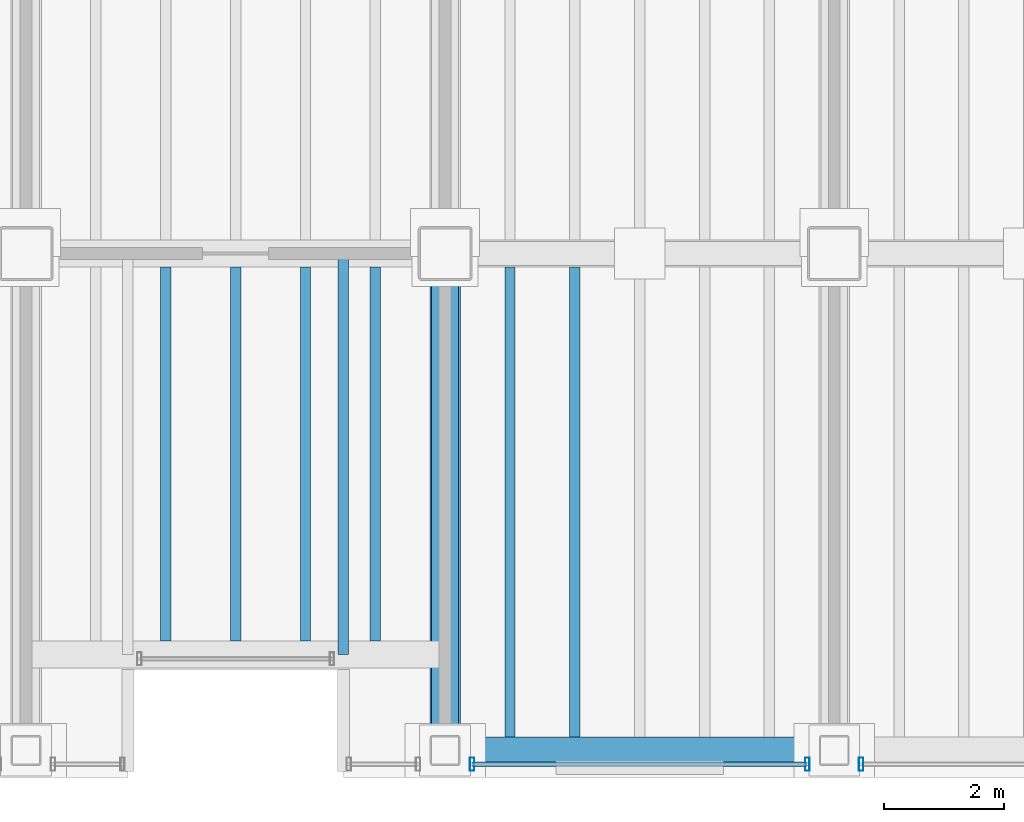
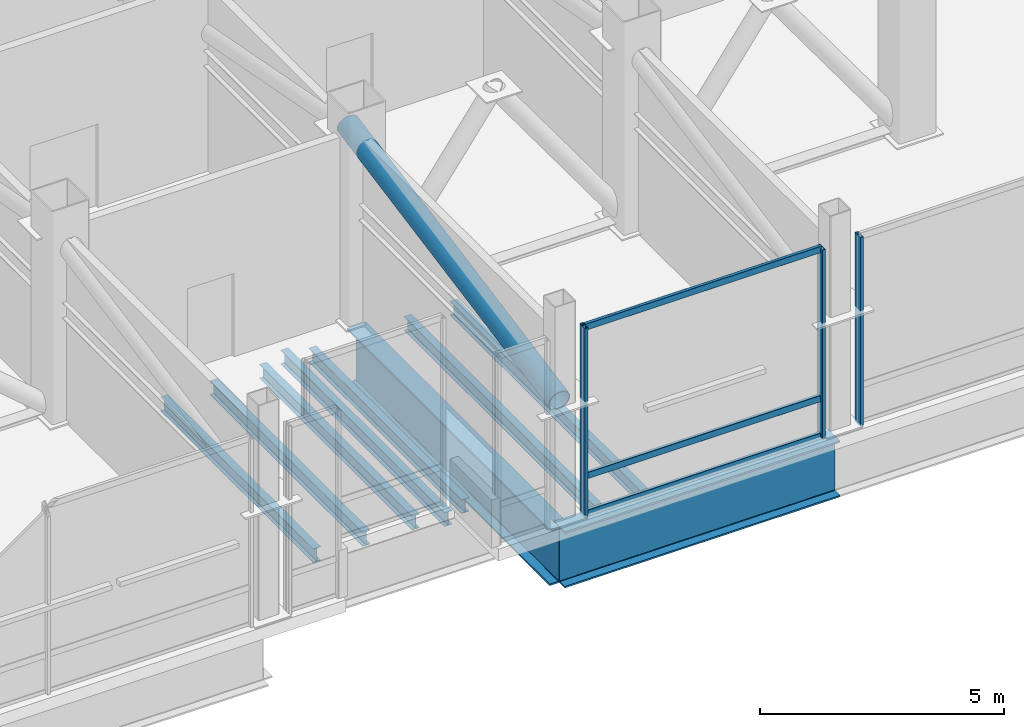
# One storey, part 5 of 18: 9 beams, 7 members, 2 elements without a shape of their own.
"""IFC4 building model written with IfcOpenShell, lengths in metres."""

import ifcopenshell
import ifcopenshell.guid

model = None  # the IFC model being written
_history = None  # IfcOwnerHistory: only IFC2X3 demands one
_inside = {}  # id of a spatial element -> (the spatial element, [elements in it])
_under = {}  # id of a project, library or spatial element -> (it, [spatial elements below it])
_declared = {}  # id of a project -> (the project, [libraries it declares])
_typed = {}  # id of a type object -> (the type object, [elements of that type])
_made_of = {}  # id of a material, layer set ... -> (it, [elements and type objects made of it])


def new_model(schema):
    """Start an empty IFC model of exactly this schema.

    Asked for "IFC4X3", IfcOpenShell would pick the latest addendum, in which some entities
    have other attributes; the version numbers below select the first issue.
    IFC2X3 requires an IfcOwnerHistory on every rooted entity: one is made here for all.
    """
    global model, _history
    if schema == "IFC4X3":
        model = ifcopenshell.file(schema_version=(4, 3, 0, 0))
    else:
        model = ifcopenshell.file(schema=schema)
    _inside.clear()
    _under.clear()
    _declared.clear()
    _typed.clear()
    _made_of.clear()
    _history = None
    if model.schema == "IFC2X3":
        org = make("IfcOrganization", Name="unknown")
        user = make(
            "IfcPersonAndOrganization",
            ThePerson=make("IfcPerson", FamilyName="unknown"),
            TheOrganization=org,
        )
        app = make(
            "IfcApplication",
            ApplicationDeveloper=org,
            Version="unknown",
            ApplicationFullName="unknown",
            ApplicationIdentifier="unknown",
        )
        _history = make(
            "IfcOwnerHistory",
            OwningUser=user,
            OwningApplication=app,
            ChangeAction="ADDED",
            CreationDate=0,
        )
    return model


def make(cls, **values):
    """One entity of the class cls with the attributes given. An attribute that is None is left unset."""
    return model.create_entity(
        cls, **{name: value for name, value in values.items() if value is not None}
    )


def rooted(cls, **values):
    """An entity with a GlobalId (a new one), such as an element, a storey or a relation."""
    return make(cls, GlobalId=ifcopenshell.guid.new(), OwnerHistory=_history, **values)


def si_unit(unit_type, name, prefix=None):
    """IfcSIUnit, for example si_unit("LENGTHUNIT", "METRE", prefix="MILLI")."""
    return make("IfcSIUnit", UnitType=unit_type, Prefix=prefix, Name=name)


def assignment(units):
    """IfcUnitAssignment: the units of a project."""
    return None if units is None else make("IfcUnitAssignment", Units=units)


def point(xyz):
    """IfcCartesianPoint."""
    return None if xyz is None else make("IfcCartesianPoint", Coordinates=xyz)


def direction(xyz):
    """IfcDirection."""
    return None if xyz is None else make("IfcDirection", DirectionRatios=xyz)


def frame(location, z_axis=None, x_axis=None):
    """IfcAxis2Placement3D, a coordinate frame: its origin and axes. An axis left out is left unset."""
    return make(
        "IfcAxis2Placement3D",
        Location=point(location),
        Axis=direction(z_axis),
        RefDirection=direction(x_axis),
    )


def frame_2d(location, x_axis=None):
    """IfcAxis2Placement2D, a coordinate frame in the plane: its origin and x axis."""
    return make(
        "IfcAxis2Placement2D", Location=point(location), RefDirection=direction(x_axis)
    )


def origin():
    """The frame at (0, 0, 0) with its axes left unset."""
    return frame((0.0, 0.0, 0.0))


def origin_2d():
    """The frame at (0, 0) in the plane with its x axis left unset."""
    return frame_2d((0.0, 0.0))


def place(relative_to, where):
    """IfcLocalPlacement: puts the frame where relative to a parent placement (None: the world)."""
    return make(
        "IfcLocalPlacement", PlacementRelTo=relative_to, RelativePlacement=where
    )


def context(
    kind, dimensions, precision=None, world=None, true_north=None, identifier=None
):
    """IfcGeometricRepresentationContext, for example the 3D "Model" context."""
    return make(
        "IfcGeometricRepresentationContext",
        ContextIdentifier=identifier,
        ContextType=kind,
        CoordinateSpaceDimension=dimensions,
        Precision=precision,
        WorldCoordinateSystem=world,
        TrueNorth=true_north,
    )


def subcontext(parent, identifier, kind, view, scale=None):
    """IfcGeometricRepresentationSubContext, for example "Body" below "Model"."""
    return make(
        "IfcGeometricRepresentationSubContext",
        ContextIdentifier=identifier,
        ContextType=kind,
        ParentContext=parent,
        TargetScale=scale,
        TargetView=view,
    )


def project(units=None, contexts=None):
    """IfcProject with its units and contexts."""
    return rooted(
        "IfcProject",
        Name="project",
        RepresentationContexts=contexts,
        UnitsInContext=assignment(units),
    )


def spatial(cls, under=None, at=None, **own):
    """A site, building, storey or space (cls), placed at a placement, below another one or the project."""
    s = rooted(cls, ObjectPlacement=at, **own)
    if under is not None:
        _under.setdefault(under.id(), (under, []))[1].append(s)
    return s


def profile(cls, at=None, kind="AREA", **sizes):
    """A parametric profile (cls). Its sizes go by their IFC names, for example OverallWidth=200.0."""
    return make(cls, ProfileType=kind, Position=at, **sizes)


def hollow_rectangle(**sizes):
    """IfcRectangleHollowProfileDef."""
    return profile("IfcRectangleHollowProfileDef", **sizes)


def hollow_circle(**sizes):
    """IfcCircleHollowProfileDef."""
    return profile("IfcCircleHollowProfileDef", **sizes)


def i_section(**sizes):
    """IfcIShapeProfileDef."""
    return profile("IfcIShapeProfileDef", **sizes)


def extrude(swept, where, along, depth):
    """IfcExtrudedAreaSolid: the profile swept, set in the frame where, extruded along a direction by depth."""
    return make(
        "IfcExtrudedAreaSolid",
        SweptArea=swept,
        Position=where,
        ExtrudedDirection=direction(along),
        Depth=depth,
    )


def shape(context_of_items, identifier, shape_type, items):
    """IfcShapeRepresentation: the items that make up one representation, for example the "Body"."""
    return make(
        "IfcShapeRepresentation",
        ContextOfItems=context_of_items,
        RepresentationIdentifier=identifier,
        RepresentationType=shape_type,
        Items=items,
    )


def material(Name=None, Category=None):
    """IfcMaterial."""
    return make("IfcMaterial", Name=Name, Category=Category)


def material_profile(
    of_material, cross_section, Name=None, Category=None, Priority=None
):
    """IfcMaterialProfile: a cross section and its material."""
    return make(
        "IfcMaterialProfile",
        Name=Name,
        Material=of_material,
        Profile=cross_section,
        Priority=Priority,
        Category=Category,
    )


def profile_set(profiles, Name=None, composite=None):
    """IfcMaterialProfileSet."""
    return make(
        "IfcMaterialProfileSet",
        Name=Name,
        MaterialProfiles=profiles,
        CompositeProfile=composite,
    )


def made_of(thing, what):
    """Note that an element or type object is made of a material, layer set ...; save() writes the relation."""
    if what is not None:
        _made_of.setdefault(what.id(), (what, []))[1].append(thing)
    return thing


def type_object(cls, material=None, **own):
    """A type object (cls), such as IfcWallType, which elements share."""
    return made_of(rooted(cls, **own), material)


def element(
    cls,
    number,
    at=None,
    inside=None,
    cuts=None,
    type_object=None,
    material=None,
    context=None,
    identifier="Body",
    shape_type=None,
    held_by="IfcProductDefinitionShape",
    body=None,
    shapes=None,
    **own,
):
    """One element of the class cls, such as IfcWall. Its Tag is "e" and its number.

    at: its placement. inside: the storey or other place that contains it. cuts: it is an
    opening in that element (IfcRelVoidsElement). A single representation is given by context,
    identifier, shape_type and body (its items); several are given by shapes. held_by: the class
    of the entity that holds the representations. save() writes the other relations.
    """
    e = rooted(cls, Tag="e%d" % number, ObjectPlacement=at, **own)
    if body is not None:
        shapes = [shape(context, identifier, shape_type, body)]
    if shapes is not None:
        e.Representation = make(held_by, Representations=shapes)
    if inside is not None:
        _inside.setdefault(inside.id(), (inside, []))[1].append(e)
    if cuts is not None:
        rooted(
            "IfcRelVoidsElement", RelatingBuildingElement=cuts, RelatedOpeningElement=e
        )
    if type_object is not None:
        _typed.setdefault(type_object.id(), (type_object, []))[1].append(e)
    return made_of(e, material)


def aggregate(whole, parts):
    """IfcRelAggregates: a whole, such as a stair, and the parts it consists of."""
    return rooted("IfcRelAggregates", RelatingObject=whole, RelatedObjects=parts)


def save(model, path):
    """Write the relations noted so far, then the file.

    IfcRelAggregates (storeys below a building ...), IfcRelContainedInSpatialStructure (elements
    in a storey), IfcRelDefinesByType, IfcRelAssociatesMaterial and IfcRelDeclares: one each for
    every whole, place, type object, material and project.
    """
    for whole, parts in _under.values():
        aggregate(whole, parts)
    for where, things in _inside.values():
        rooted(
            "IfcRelContainedInSpatialStructure",
            RelatedElements=things,
            RelatingStructure=where,
        )
    for kind, things in _typed.values():
        rooted("IfcRelDefinesByType", RelatedObjects=things, RelatingType=kind)
    for what, things in _made_of.values():
        rooted("IfcRelAssociatesMaterial", RelatedObjects=things, RelatingMaterial=what)
    for by, libraries in _declared.values():
        rooted("IfcRelDeclares", RelatingContext=by, RelatedDefinitions=libraries)
    model.write(path)


model = new_model("IFC4")

# Units and contexts
model_context = context("Model", 3, precision=1e-05, world=origin(), true_north=direction((0.0, 1.0)))
body_context = subcontext(model_context, "Body", "Model", "MODEL_VIEW")
ifc_project = project(units=[si_unit("LENGTHUNIT", "METRE"), si_unit("AREAUNIT", "SQUARE_METRE"), si_unit("VOLUMEUNIT", "CUBIC_METRE"), si_unit("PLANEANGLEUNIT", "RADIAN"), si_unit("MASSUNIT", "GRAM", prefix="KILO")], contexts=[model_context])

# Site, building, storey
site_placement = place(None, origin())
site = spatial("IfcSite", under=ifc_project, at=site_placement, CompositionType="ELEMENT")
building_placement = place(site_placement, origin())
building = spatial("IfcBuilding", under=site, at=building_placement, Name="Noeulbin Bourse Tower", CompositionType="ELEMENT")
storey_placement = place(building_placement, frame((0.0, 0.0, 200.699951171875)))
storey = spatial("IfcBuildingStorey", under=building, at=storey_placement, Name="L50", CompositionType="ELEMENT", Elevation=200.699951171875)

# Beams
ifc_material_1 = material(Name="Steel S355", Category="steel")
ifc_material_profile_1 = material_profile(ifc_material_1, i_section(OverallWidth=0.175048828125, OverallDepth=0.35009765625, WebThickness=0.007080078125, FlangeThickness=0.010986328125, FilletRadius=0.013916015625, at=origin_2d()), Name="H-350x175x7x11", Category="LoadBearing")
ifc_profile_set_1 = profile_set([ifc_material_profile_1], Name="Steel S355")
beam_type_1 = type_object("IfcBeamType", Name="BM-JST-350", PredefinedType="JOIST", material=ifc_profile_set_1)
beam_1_placement = place(storey_placement, frame((29.300048828125, 13.300048828125, -0.474853515625), z_axis=(0.0, 1.0, 0.0), x_axis=(-1.0, 0.0, 0.0)))
element("IfcBeam", 1, at=beam_1_placement, inside=storey, type_object=beam_type_1, Name="BM-L50-SRT-E", PredefinedType="JOIST", context=body_context, shape_type="SweptSolid", body=[
    extrude(i_section(OverallWidth=0.175048828125, OverallDepth=0.35009765625, WebThickness=0.007080078125, FlangeThickness=0.010986328125, FilletRadius=0.013916015625, at=origin_2d()), origin(), (0.0, 0.0, 1.0), 6.699951171875),
])
for number, where, z_axis, x_axis, name in (
    (2, (26.333251953125, 13.52490234375, -0.474853515625), (0.0, 1.0, 0.0), (-1.0, 0.0, 0.0), "Tower Composite Joist L50-19"),
    (3, (27.5, 13.52490234375, -0.474853515625), (0.0, 1.0, 0.0), (-1.0, 0.0, 0.0), "Tower Composite Joist L50-21"),
    (4, (28.666748046875, 13.52490234375, -0.474853515625), (0.0, 1.0, 0.0), (-1.0, 0.0, 0.0), "Tower Composite Joist L50-23"),
    (5, (29.833251953125, 13.52490234375, -0.474853515625), (0.0, 1.0, 0.0), (-1.0, 0.0, 0.0), "Tower Composite Joist L50-25"),
):
    element("IfcBeam", number, at=place(storey_placement, frame(where, z_axis=z_axis, x_axis=x_axis)), inside=storey, type_object=beam_type_1, Name=name, PredefinedType="JOIST", context=body_context, shape_type="SweptSolid", body=[
        extrude(i_section(OverallWidth=0.175048828125, OverallDepth=0.35009765625, WebThickness=0.007080078125, FlangeThickness=0.010986328125, FilletRadius=0.013916015625, at=origin_2d()), origin(), (0.0, 0.0, 1.0), 6.25),
    ])
for number, where, z_axis, x_axis, name in (
    (6, (32.083251953125, 11.925048828125, -0.474853515625), (0.0, 1.0, 0.0), (-1.0, 0.0, 0.0), "Tower Composite Joist L50-27"),
    (7, (33.166748046875, 11.925048828125, -0.474853515625), (0.0, 1.0, 0.0), (-1.0, 0.0, 0.0), "Tower Composite Joist L50-29"),
):
    element("IfcBeam", number, at=place(storey_placement, frame(where, z_axis=z_axis, x_axis=x_axis)), inside=storey, type_object=beam_type_1, Name=name, PredefinedType="JOIST", context=body_context, shape_type="SweptSolid", body=[
        extrude(i_section(OverallWidth=0.175048828125, OverallDepth=0.35009765625, WebThickness=0.007080078125, FlangeThickness=0.010986328125, FilletRadius=0.013916015625, at=origin_2d()), origin(), (0.0, 0.0, 1.0), 7.849853515625),
    ])
ifc_material_2 = material(Name="Steel S460", Category="steel")
ifc_material_profile_2 = material_profile(ifc_material_2, i_section(OverallWidth=0.449951171875, OverallDepth=1.39990234375, WebThickness=0.02392578125, FlangeThickness=0.0400390625, FilletRadius=0.02392578125, at=origin_2d()), Name="PG-1400x450x24x40", Category="LoadBearing")
ifc_profile_set_2 = profile_set([ifc_material_profile_2], Name="Steel S460")
beam_type_2 = type_object("IfcBeamType", Name="BM-TRF-1400", PredefinedType="USERDEFINED", material=ifc_profile_set_2)
beam_2_placement = place(storey_placement, frame((31.0, 11.699951171875, -1.0), z_axis=(0.0, 1.0, 0.0), x_axis=(-1.0, 0.0, 0.0)))
element("IfcBeam", 8, at=beam_2_placement, inside=storey, type_object=beam_type_2, Name="Tower Primary Girder NS L50-3.1", ObjectType="GIRDER", PredefinedType="USERDEFINED", context=body_context, shape_type="SweptSolid", body=[
    extrude(i_section(OverallWidth=0.449951171875, OverallDepth=1.39990234375, WebThickness=0.02392578125, FlangeThickness=0.0400390625, FilletRadius=0.02392578125, at=origin_2d()), origin(), (0.0, 0.0, 1.0), 8.300048828125),
])
beam_3_placement = place(storey_placement, frame((31.0, 11.699951171875, -1.0), z_axis=(1.0, 0.0, 0.0), x_axis=(0.0, 1.0, 0.0)))
element("IfcBeam", 9, at=beam_3_placement, inside=storey, type_object=beam_type_2, Name="South Spandrel L50-3", ObjectType="GIRDER", PredefinedType="USERDEFINED", context=body_context, shape_type="SweptSolid", body=[
    extrude(i_section(OverallWidth=0.449951171875, OverallDepth=1.39990234375, WebThickness=0.02392578125, FlangeThickness=0.0400390625, FilletRadius=0.02392578125, at=origin_2d()), origin(), (0.0, 0.0, 1.0), 6.5),
])

# Curtain wall, members
ifc_material_3 = material(Name="Translucent Ceramic-Fritted Glass", Category="glass")
curtain_wall_type = type_object("IfcCurtainWallType", Name="CW-SYS-5", PredefinedType="NOTDEFINED", material=ifc_material_3)
curtain_wall_1_placement = place(storey_placement, origin())
curtain_wall_1 = element("IfcCurtainWall", 10, at=curtain_wall_1_placement, inside=storey, type_object=curtain_wall_type, Name="Unitised Curtain Wall CW-L50-S2-S2", PredefinedType="NOTDEFINED")
ifc_material_4 = material(Name="Anodised Aluminium 6063-T6", Category="aluminium")
ifc_material_profile_3 = material_profile(ifc_material_4, hollow_rectangle(XDim=0.074951171875, YDim=0.219970703125, WallThickness=0.0048828125, InnerFilletRadius=0.00244140625, OuterFilletRadius=0.0048828125, at=origin_2d()), Name="ALU-MULL-75x220x5", Category="LoadBearing")
ifc_profile_set_3 = profile_set([ifc_material_profile_3], Name="Anodised Aluminium 6063-T6")
member_type_1 = type_object("IfcMemberType", Name="CW-SYS-5-MUL", PredefinedType="MULLION", material=ifc_profile_set_3)
member_1_placement = place(storey_placement, frame((31.449951171875, 11.469970703125, -0.02001953125), z_axis=(0.0, 0.0, 1.0), x_axis=(1.0, 0.0, 0.0)))
member_1 = element("IfcMember", 11, at=member_1_placement, type_object=member_type_1, Name="Curtain Wall Mullion CW-L50-S2-S2-M00", PredefinedType="MULLION", context=body_context, shape_type="SweptSolid", body=[
    extrude(hollow_rectangle(XDim=0.074951171875, YDim=0.219970703125, WallThickness=0.0048828125, InnerFilletRadius=0.00244140625, OuterFilletRadius=0.0048828125, at=origin_2d()), origin(), (0.0, 0.0, 1.0), 4.719970703125),
])
member_2_placement = place(storey_placement, frame((37.050048828125, 11.469970703125, -0.02001953125), z_axis=(0.0, 0.0, 1.0), x_axis=(1.0, 0.0, 0.0)))
member_2 = element("IfcMember", 12, at=member_2_placement, type_object=member_type_1, Name="Curtain Wall Mullion CW-L50-S2-S2-M01", PredefinedType="MULLION", context=body_context, shape_type="SweptSolid", body=[
    extrude(hollow_rectangle(XDim=0.074951171875, YDim=0.219970703125, WallThickness=0.0048828125, InnerFilletRadius=0.00244140625, OuterFilletRadius=0.0048828125, at=origin_2d()), origin(), (0.0, 0.0, 1.0), 4.719970703125),
])

# Curtain wall, member
curtain_wall_2_placement = place(storey_placement, origin())
curtain_wall_2 = element("IfcCurtainWall", 13, at=curtain_wall_2_placement, inside=storey, type_object=curtain_wall_type, Name="Unitised Curtain Wall CW-L50-S2-S3", PredefinedType="NOTDEFINED")
member_3_placement = place(storey_placement, frame((37.949951171875, 11.469970703125, -0.02001953125), z_axis=(0.0, 0.0, 1.0), x_axis=(1.0, 0.0, 0.0)))
member_3 = element("IfcMember", 14, at=member_3_placement, type_object=member_type_1, Name="Curtain Wall Mullion CW-L50-S2-S3-M00", PredefinedType="MULLION", context=body_context, shape_type="SweptSolid", body=[
    extrude(hollow_rectangle(XDim=0.074951171875, YDim=0.219970703125, WallThickness=0.0048828125, InnerFilletRadius=0.00244140625, OuterFilletRadius=0.0048828125, at=origin_2d()), origin(), (0.0, 0.0, 1.0), 4.719970703125),
])
aggregate(curtain_wall_2, [member_3])

# Member
ifc_material_profile_4 = material_profile(ifc_material_4, hollow_rectangle(XDim=0.074951171875, YDim=0.159912109375, WallThickness=0.0048828125, InnerFilletRadius=0.00244140625, OuterFilletRadius=0.0048828125, at=origin_2d()), Name="ALU-TRAN-75x160x5", Category="LoadBearing")
ifc_profile_set_4 = profile_set([ifc_material_profile_4], Name="Anodised Aluminium 6063-T6")
member_type_2 = type_object("IfcMemberType", Name="CW-SYS-5-TRN", PredefinedType="USERDEFINED", material=ifc_profile_set_4)
member_4_placement = place(storey_placement, frame((31.4599609375, 11.469970703125, 0.010009765625), z_axis=(1.0, 0.0, 0.0), x_axis=(0.0, 1.0, 0.0)))
member_4 = element("IfcMember", 15, at=member_4_placement, type_object=member_type_2, Name="Curtain Wall Transom CW-L50-S2-S2-T00", ObjectType="TRANSOM", PredefinedType="USERDEFINED", context=body_context, shape_type="SweptSolid", body=[
    extrude(hollow_rectangle(XDim=0.074951171875, YDim=0.159912109375, WallThickness=0.0048828125, InnerFilletRadius=0.00244140625, OuterFilletRadius=0.0048828125, at=origin_2d()), origin(), (0.0, 0.0, 1.0), 5.580078125),
])

member_5_placement = place(storey_placement, frame((31.4599609375, 11.469970703125, 0.949951171875), z_axis=(1.0, 0.0, 0.0), x_axis=(0.0, 1.0, 0.0)))
member_5 = element("IfcMember", 16, at=member_5_placement, type_object=member_type_2, Name="Curtain Wall Transom CW-L50-S2-S2-T01", ObjectType="TRANSOM", PredefinedType="USERDEFINED", context=body_context, shape_type="SweptSolid", body=[
    extrude(hollow_rectangle(XDim=0.074951171875, YDim=0.159912109375, WallThickness=0.0048828125, InnerFilletRadius=0.00244140625, OuterFilletRadius=0.0048828125, at=origin_2d()), origin(), (0.0, 0.0, 1.0), 5.580078125),
])

member_6_placement = place(storey_placement, frame((31.4599609375, 11.469970703125, 4.670166015625), z_axis=(1.0, 0.0, 0.0), x_axis=(0.0, 1.0, 0.0)))
member_6 = element("IfcMember", 17, at=member_6_placement, type_object=member_type_2, Name="Curtain Wall Transom CW-L50-S2-S2-T02", ObjectType="TRANSOM", PredefinedType="USERDEFINED", context=body_context, shape_type="SweptSolid", body=[
    extrude(hollow_rectangle(XDim=0.074951171875, YDim=0.159912109375, WallThickness=0.0048828125, InnerFilletRadius=0.00244140625, OuterFilletRadius=0.0048828125, at=origin_2d()), origin(), (0.0, 0.0, 1.0), 5.580078125),
])

aggregate(curtain_wall_1, [member_1, member_2, member_4, member_5, member_6])

ifc_material_profile_5 = material_profile(ifc_material_2, hollow_circle(Radius=0.25390625, WallThickness=0.02197265625, at=origin_2d()), Name="CHS-508.0x22.0", Category="LoadBearing")
ifc_profile_set_5 = profile_set([ifc_material_profile_5], Name="Steel S460")
member_type_3 = type_object("IfcMemberType", Name="MEM-OUT-508", PredefinedType="BRACE", material=ifc_profile_set_5)
member_7_placement = place(storey_placement, frame((31.0, 20.35009765625, 4.5), z_axis=(0.0, -0.982291459015, -0.187359252632), x_axis=(1.0, 0.0, 0.0)))
element("IfcMember", 18, at=member_7_placement, inside=storey, type_object=member_type_3, Name="Outrigger Truss Diagonal OT-L50-2B", PredefinedType="BRACE", context=body_context, shape_type="SweptSolid", body=[
    extrude(hollow_circle(Radius=0.25390625, WallThickness=0.02197265625, at=origin_2d()), origin(), (0.0, 0.0, 1.0), 8.80615234375),
])

save(model, "model.ifc")
